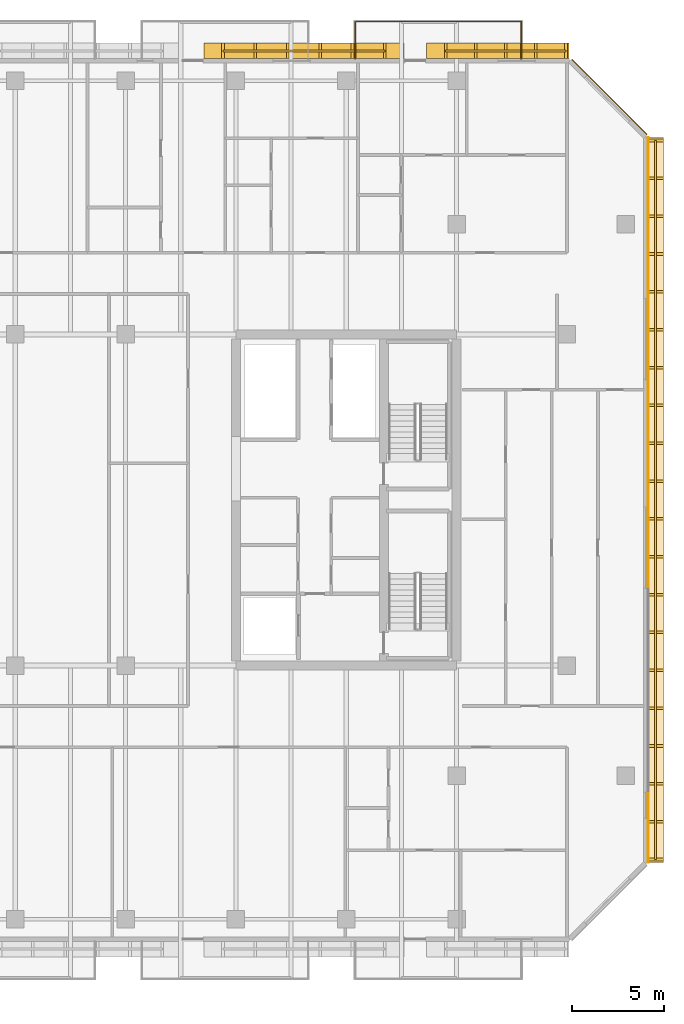
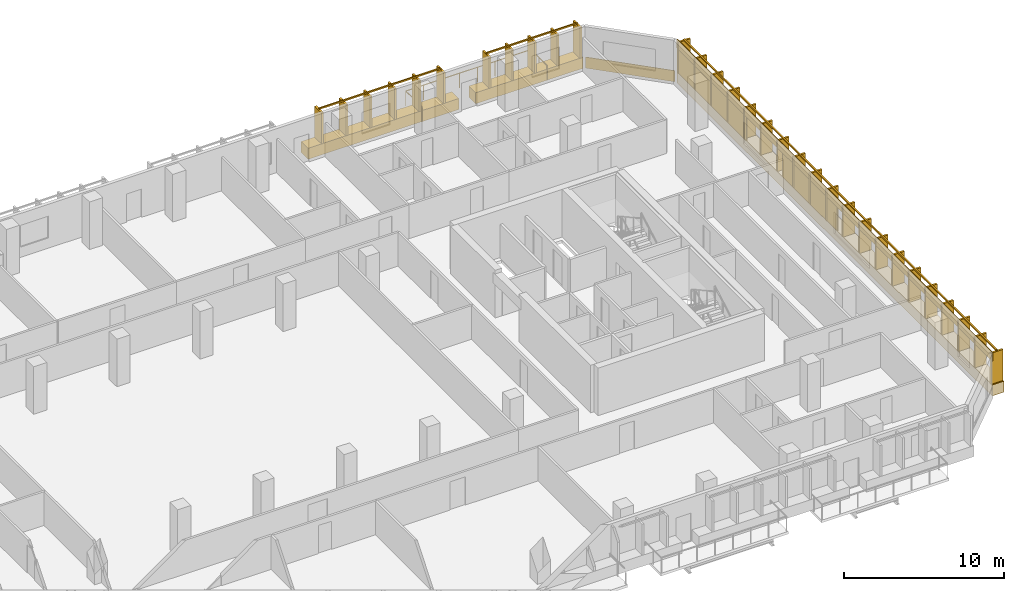
# One storey, part 23 of 23: 7 coverings, 4 railings.
"""IFC4 building model written with IfcOpenShell, lengths in metres."""

from ifc_helpers import new_model, si_unit, direction, frame, origin, origin_2d, place, context, subcontext, project, spatial, rectangle, extrude, material, layer, layer_set, type_object, element, save


model = new_model("IFC4")

# Units and contexts
model_context = context("Model", 3, precision=1e-05, world=origin(), true_north=direction((0.0, 1.0)))
body_context = subcontext(model_context, "Body", "Model", "MODEL_VIEW")
ifc_project = project(units=[si_unit("LENGTHUNIT", "METRE"), si_unit("AREAUNIT", "SQUARE_METRE"), si_unit("VOLUMEUNIT", "CUBIC_METRE"), si_unit("PLANEANGLEUNIT", "RADIAN"), si_unit("MASSUNIT", "GRAM", prefix="KILO")], contexts=[model_context])

# Site, building, storey
site_placement = place(None, origin())
site = spatial("IfcSite", under=ifc_project, at=site_placement, CompositionType="ELEMENT")
building_placement = place(site_placement, origin())
building = spatial("IfcBuilding", under=site, at=building_placement, Name="Tanjung Sevakor Pilgrim Tower", CompositionType="ELEMENT")
storey_placement = place(building_placement, frame((0.0, 0.0, 119.4599609375)))
storey = spatial("IfcBuildingStorey", under=building, at=storey_placement, Name="L33", CompositionType="ELEMENT", Elevation=119.4599609375)

# Coverings
ifc_material_1 = material(Name="Reconstructed Limestone Cladding", Category="masonry")
ifc_layer = layer(ifc_material_1, 0.044921875)
ifc_layer_set = layer_set([ifc_layer], Name="COV-CLAD-LIMESTONE")
covering_type = type_object("IfcCoveringType", Name="COV-CLAD-LIMESTONE", PredefinedType="CLADDING", material=ifc_layer_set)
covering_1_placement = place(storey_placement, frame((100.830078125, 33.60009765625, 0.009765625), z_axis=(0.0, 0.0, 1.0), x_axis=(0.0, 1.0, 0.0)))
element("IfcCovering", 1, at=covering_1_placement, inside=storey, type_object=covering_type, Name="L33 Warm Limestone Sill Spandrel EW-L33-MAIN-7-1", PredefinedType="CLADDING", context=body_context, shape_type="SweptSolid", body=[
    extrude(rectangle(XDim=39.41650390625, YDim=0.860107421875, at=origin_2d()), origin(), (0.0, 0.0, 1.0), 0.840087890625),
])
covering_2_placement = place(storey_placement, frame((100.422607421875, 33.60009765625, 2.66015625), z_axis=(0.0, 0.0, 1.0), x_axis=(0.0, 1.0, 0.0)))
element("IfcCovering", 2, at=covering_2_placement, inside=storey, type_object=covering_type, Name="L33 Warm Limestone Cornice Spandrel EW-L33-MAIN-7", PredefinedType="CLADDING", context=body_context, shape_type="SweptSolid", body=[
    extrude(rectangle(XDim=39.456298828125, YDim=0.044921875, at=origin_2d()), origin(), (0.0, 0.0, 1.0), 0.679931640625),
])
covering_3_placement = place(storey_placement, frame((100.422607421875, 36.679931640625, 0.85009765625), z_axis=(0.0, 0.0, 1.0), x_axis=(0.0, 1.0, 0.0)))
element("IfcCovering", 3, at=covering_3_placement, inside=storey, type_object=covering_type, Name="L33 Warm Limestone Pier Panel EW-L33-MAIN-7-2", PredefinedType="CLADDING", context=body_context, shape_type="SweptSolid", body=[
    extrude(rectangle(XDim=6.840087890625, YDim=0.044921875, at=origin_2d()), origin(), (0.0, 0.0, 1.0), 1.81005859375),
])
covering_4_placement = place(storey_placement, frame((100.422607421875, 48.9541015625, 0.85009765625), z_axis=(0.0, 0.0, 1.0), x_axis=(0.0, 1.0, 0.0)))
element("IfcCovering", 4, at=covering_4_placement, inside=storey, type_object=covering_type, Name="L33 Warm Limestone Pier Panel EW-L33-MAIN-7-3", PredefinedType="CLADDING", context=body_context, shape_type="SweptSolid", body=[
    extrude(rectangle(XDim=8.708251953125, YDim=0.044921875, at=origin_2d()), origin(), (0.0, 0.0, 1.0), 1.81005859375),
])
covering_5_placement = place(storey_placement, frame((98.31591796875, 55.515869140625, 0.009765625), z_axis=(0.0, 0.0, 1.0), x_axis=(-0.707106781187, 0.707106781187, 0.0)))
element("IfcCovering", 5, at=covering_5_placement, inside=storey, type_object=covering_type, Name="L33 Warm Limestone Sill Spandrel EW-CHM-L33-MAIN-7-1", PredefinedType="CLADDING", context=body_context, shape_type="SweptSolid", body=[
    extrude(rectangle(XDim=5.756103515625, YDim=0.044921875, at=origin_2d()), origin(), (0.0, 0.0, 1.0), 0.840087890625),
])
covering_6_placement = place(storey_placement, frame((92.234130859375, 58.030029296875, 0.009765625), z_axis=(0.0, 0.0, 1.0), x_axis=(-1.0, 0.0, 0.0)))
element("IfcCovering", 6, at=covering_6_placement, inside=storey, type_object=covering_type, Name="L33 Warm Limestone Sill Spandrel EW-L33-MAIN-9-1", PredefinedType="CLADDING", context=body_context, shape_type="SweptSolid", body=[
    extrude(rectangle(XDim=7.748291015625, YDim=0.860107421875, at=origin_2d()), origin(), (0.0, 0.0, 1.0), 0.840087890625),
])
covering_7_placement = place(storey_placement, frame((81.699951171875, 58.030029296875, 0.009765625), z_axis=(0.0, 0.0, 1.0), x_axis=(-1.0, 0.0, 0.0)))
element("IfcCovering", 7, at=covering_7_placement, inside=storey, type_object=covering_type, Name="L33 Warm Limestone Sill Spandrel EW-L33-MAIN-9-2", PredefinedType="CLADDING", context=body_context, shape_type="SweptSolid", body=[
    extrude(rectangle(XDim=10.8798828125, YDim=0.860107421875, at=origin_2d()), origin(), (0.0, 0.0, 1.0), 0.840087890625),
])

# Railings
ifc_material_2 = material(Name="Laminated Glass and Aluminium", Category="aluminium")
railing_type_1 = type_object("IfcRailingType", Name="RL-BAL-BALUST", PredefinedType="BALUSTRADE", material=ifc_material_2)
railing_1_placement = place(storey_placement, frame((84.47998046875, 57.60009765625, 0.0)))
element("IfcRailing", 8, at=railing_1_placement, inside=storey, type_object=railing_type_1, Name="L33 Loggia Balustrade MAIN-N4", PredefinedType="BALUSTRADE", context=body_context, shape_type="SweptSolid", body=[
    extrude(rectangle(XDim=0.0479, YDim=0.0479), frame((0.0, 0.0, 1.1259765625), z_axis=(0.0, 1.0, 0.0), x_axis=(-1.0, 0.0, 0.0)), (0.0, 0.0, 1.0), 2.02001953125),
    extrude(rectangle(XDim=0.0479, YDim=0.0479), frame((0.0, 2.02001953125, 1.1259765625), z_axis=(1.0, 0.0, 0.0), x_axis=(0.0, 1.0, 0.0)), (0.0, 0.0, 1.0), 9.0400390625),
    extrude(rectangle(XDim=0.0479, YDim=0.0479), frame((9.0400390625, 2.02001953125, 1.1259765625), z_axis=(0.0, -1.0, 0.0), x_axis=(1.0, 0.0, 0.0)), (0.0, 0.0, 1.0), 2.02001953125),
    extrude(rectangle(XDim=0.042, YDim=0.042), origin(), (0.0, 0.0, 1.0), 1.101806640625),
    extrude(rectangle(XDim=0.042, YDim=0.042), frame((0.0, 1.010009765625, 0.0)), (0.0, 0.0, 1.0), 1.101806640625),
    extrude(rectangle(XDim=0.042, YDim=0.042), frame((0.0, 2.02001953125, 0.0)), (0.0, 0.0, 1.0), 1.101806640625),
    extrude(rectangle(XDim=0.042, YDim=0.042), frame((1.29150390625, 2.02001953125, 0.0)), (0.0, 0.0, 1.0), 1.101806640625),
    extrude(rectangle(XDim=0.042, YDim=0.042), frame((2.582763671875, 2.02001953125, 0.0)), (0.0, 0.0, 1.0), 1.101806640625),
    extrude(rectangle(XDim=0.042, YDim=0.042), frame((3.874267578125, 2.02001953125, 0.0)), (0.0, 0.0, 1.0), 1.101806640625),
    extrude(rectangle(XDim=0.042, YDim=0.042), frame((5.165771484375, 2.02001953125, 0.0)), (0.0, 0.0, 1.0), 1.101806640625),
    extrude(rectangle(XDim=0.042, YDim=0.042), frame((6.457275390625, 2.02001953125, 0.0)), (0.0, 0.0, 1.0), 1.101806640625),
    extrude(rectangle(XDim=0.042, YDim=0.042), frame((7.74853515625, 2.02001953125, 0.0)), (0.0, 0.0, 1.0), 1.101806640625),
    extrude(rectangle(XDim=0.042, YDim=0.042), frame((9.0400390625, 2.02001953125, 0.0)), (0.0, 0.0, 1.0), 1.101806640625),
    extrude(rectangle(XDim=0.042, YDim=0.042), frame((9.0400390625, 1.010009765625, 0.0)), (0.0, 0.0, 1.0), 1.101806640625),
    extrude(rectangle(XDim=0.042, YDim=0.042), frame((9.0400390625, 0.0, 0.0)), (0.0, 0.0, 1.0), 1.101806640625),
])
ifc_material_3 = material(Name="Anodised Bronze Aluminium 6063-T6", Category="aluminium")
railing_type_2 = type_object("IfcRailingType", Name="RL-FIN-SCREEN", PredefinedType="BALUSTRADE", material=ifc_material_3)
railing_2_placement = place(storey_placement, frame((100.824951171875, 14.0517578125, 0.840087890625)))
element("IfcRailing", 9, at=railing_2_placement, inside=storey, type_object=railing_type_2, Name="L33 Vertical Bronze-Gold Solar Fin Screen FNEND-EW-L33-MAIN-7-1", PredefinedType="BALUSTRADE", context=body_context, shape_type="SweptSolid", body=[
    extrude(rectangle(XDim=0.105, YDim=0.105), frame((0.0, 0.0, 2.427490234375), z_axis=(0.0, 1.0, 0.0), x_axis=(-1.0, 0.0, 0.0)), (0.0, 0.0, 1.0), 39.096435546875),
    extrude(rectangle(XDim=0.85, YDim=0.14), origin(), (0.0, 0.0, 1.0), 2.375),
    extrude(rectangle(XDim=0.85, YDim=0.14), frame((0.0, 2.0576171875, 0.0)), (0.0, 0.0, 1.0), 2.375),
    extrude(rectangle(XDim=0.85, YDim=0.14), frame((0.0, 4.115478515625, 0.0)), (0.0, 0.0, 1.0), 2.375),
    extrude(rectangle(XDim=0.85, YDim=0.14), frame((0.0, 6.173095703125, 0.0)), (0.0, 0.0, 1.0), 2.375),
    extrude(rectangle(XDim=0.85, YDim=0.14), frame((0.0, 8.230712890625, 0.0)), (0.0, 0.0, 1.0), 2.375),
    extrude(rectangle(XDim=0.85, YDim=0.14), frame((0.0, 10.28857421875, 0.0)), (0.0, 0.0, 1.0), 2.375),
    extrude(rectangle(XDim=0.85, YDim=0.14), frame((0.0, 12.34619140625, 0.0)), (0.0, 0.0, 1.0), 2.375),
    extrude(rectangle(XDim=0.85, YDim=0.14), frame((0.0, 14.404052734375, 0.0)), (0.0, 0.0, 1.0), 2.375),
    extrude(rectangle(XDim=0.85, YDim=0.14), frame((0.0, 16.461669921875, 0.0)), (0.0, 0.0, 1.0), 2.375),
    extrude(rectangle(XDim=0.85, YDim=0.14), frame((0.0, 18.519287109375, 0.0)), (0.0, 0.0, 1.0), 2.375),
    extrude(rectangle(XDim=0.85, YDim=0.14), frame((0.0, 20.5771484375, 0.0)), (0.0, 0.0, 1.0), 2.375),
    extrude(rectangle(XDim=0.85, YDim=0.14), frame((0.0, 22.634765625, 0.0)), (0.0, 0.0, 1.0), 2.375),
    extrude(rectangle(XDim=0.85, YDim=0.14), frame((0.0, 24.6923828125, 0.0)), (0.0, 0.0, 1.0), 2.375),
    extrude(rectangle(XDim=0.85, YDim=0.14), frame((0.0, 26.750244140625, 0.0)), (0.0, 0.0, 1.0), 2.375),
    extrude(rectangle(XDim=0.85, YDim=0.14), frame((0.0, 28.807861328125, 0.0)), (0.0, 0.0, 1.0), 2.375),
    extrude(rectangle(XDim=0.85, YDim=0.14), frame((0.0, 30.86572265625, 0.0)), (0.0, 0.0, 1.0), 2.375),
    extrude(rectangle(XDim=0.85, YDim=0.14), frame((0.0, 32.92333984375, 0.0)), (0.0, 0.0, 1.0), 2.375),
    extrude(rectangle(XDim=0.85, YDim=0.14), frame((0.0, 34.98095703125, 0.0)), (0.0, 0.0, 1.0), 2.375),
    extrude(rectangle(XDim=0.85, YDim=0.14), frame((0.0, 37.038818359375, 0.0)), (0.0, 0.0, 1.0), 2.375),
    extrude(rectangle(XDim=0.85, YDim=0.14), frame((0.0, 39.096435546875, 0.0)), (0.0, 0.0, 1.0), 2.375),
])
railing_3_placement = place(storey_placement, frame((95.9482421875, 58.02490234375, 0.840087890625)))
element("IfcRailing", 10, at=railing_3_placement, inside=storey, type_object=railing_type_2, Name="L33 Vertical Bronze-Gold Solar Fin Screen FNSCR-EW-L33-MAIN-9-1", PredefinedType="BALUSTRADE", context=body_context, shape_type="SweptSolid", body=[
    extrude(rectangle(XDim=0.105, YDim=0.105), frame((0.0, 0.0, 2.427490234375), z_axis=(-1.0, 0.0, 0.0), x_axis=(0.0, -1.0, 0.0)), (0.0, 0.0, 1.0), 6.54833984375),
    extrude(rectangle(XDim=0.14, YDim=0.85), origin(), (0.0, 0.0, 1.0), 2.375),
    extrude(rectangle(XDim=0.14, YDim=0.85), frame((-1.63720703125, 0.0, 0.0)), (0.0, 0.0, 1.0), 2.375),
    extrude(rectangle(XDim=0.14, YDim=0.85), frame((-3.274169921875, 0.0, 0.0)), (0.0, 0.0, 1.0), 2.375),
    extrude(rectangle(XDim=0.14, YDim=0.85), frame((-4.9111328125, 0.0, 0.0)), (0.0, 0.0, 1.0), 2.375),
    extrude(rectangle(XDim=0.14, YDim=0.85), frame((-6.54833984375, 0.0, 0.0)), (0.0, 0.0, 1.0), 2.375),
])
railing_4_placement = place(storey_placement, frame((86.10009765625, 58.02490234375, 0.840087890625)))
element("IfcRailing", 11, at=railing_4_placement, inside=storey, type_object=railing_type_2, Name="L33 Vertical Bronze-Gold Solar Fin Screen FNSCR-EW-L33-MAIN-9-2", PredefinedType="BALUSTRADE", context=body_context, shape_type="SweptSolid", body=[
    extrude(rectangle(XDim=0.105, YDim=0.105), frame((0.0, 0.0, 2.427490234375), z_axis=(-1.0, 0.0, 0.0), x_axis=(0.0, -1.0, 0.0)), (0.0, 0.0, 1.0), 8.800048828125),
    extrude(rectangle(XDim=0.14, YDim=0.85), origin(), (0.0, 0.0, 1.0), 2.375),
    extrude(rectangle(XDim=0.14, YDim=0.85), frame((-1.760009765625, 0.0, 0.0)), (0.0, 0.0, 1.0), 2.375),
    extrude(rectangle(XDim=0.14, YDim=0.85), frame((-3.52001953125, 0.0, 0.0)), (0.0, 0.0, 1.0), 2.375),
    extrude(rectangle(XDim=0.14, YDim=0.85), frame((-5.280029296875, 0.0, 0.0)), (0.0, 0.0, 1.0), 2.375),
    extrude(rectangle(XDim=0.14, YDim=0.85), frame((-7.0400390625, 0.0, 0.0)), (0.0, 0.0, 1.0), 2.375),
    extrude(rectangle(XDim=0.14, YDim=0.85), frame((-8.800048828125, 0.0, 0.0)), (0.0, 0.0, 1.0), 2.375),
])

save(model, "model.ifc")
